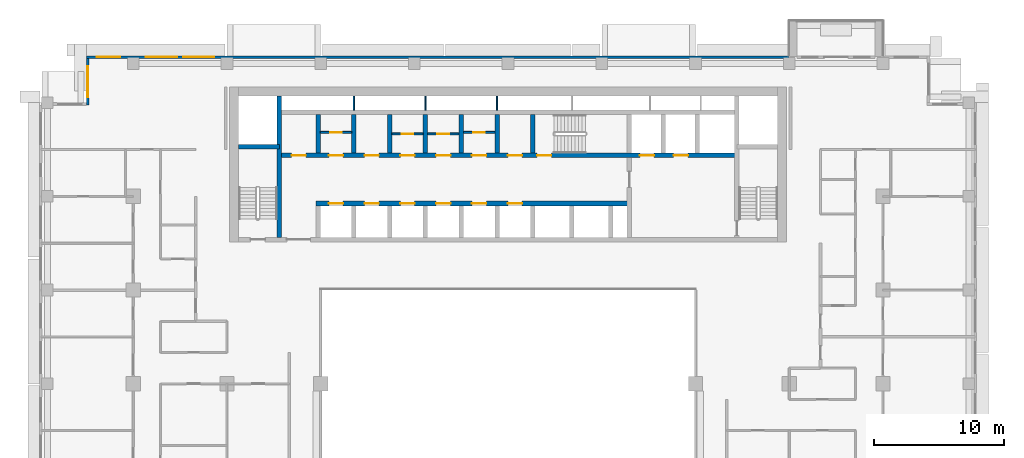
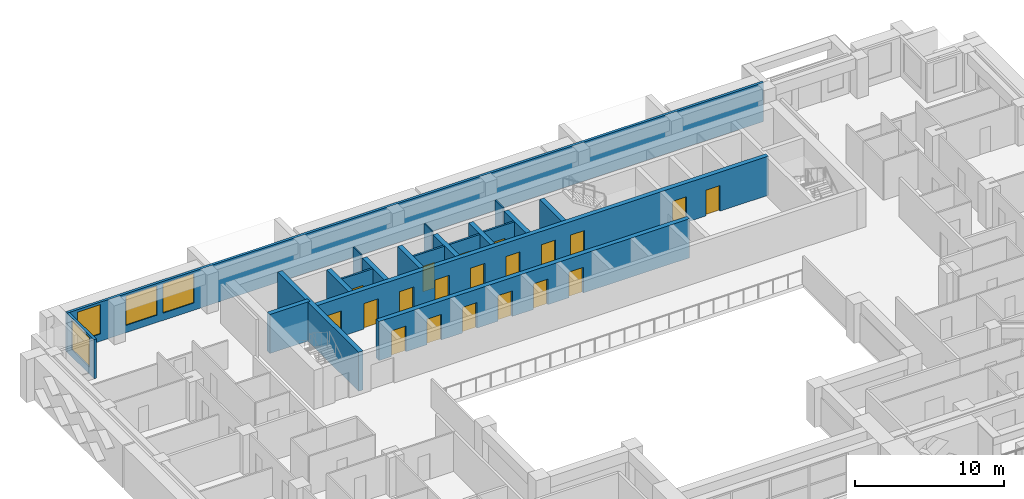
# One storey, part 10 of 19: 20 doors, 20 walls, 4 windows, 24 openings.
"""IFC4 building model written with IfcOpenShell, lengths in metres."""

from ifc_helpers import new_model, si_unit, direction, frame, frame_2d, origin, place, context, subcontext, project, spatial, rectangle, extrude, material, layer, layer_set, type_object, element, fill, save


model = new_model("IFC4")

# Units and contexts
model_context = context("Model", 3, precision=1e-05, world=origin(), true_north=direction((0.0, 1.0)))
body_context = subcontext(model_context, "Body", "Model", "MODEL_VIEW")
ifc_project = project(units=[si_unit("LENGTHUNIT", "METRE"), si_unit("AREAUNIT", "SQUARE_METRE"), si_unit("VOLUMEUNIT", "CUBIC_METRE"), si_unit("PLANEANGLEUNIT", "RADIAN"), si_unit("MASSUNIT", "GRAM", prefix="KILO")], contexts=[model_context])

# Site, building, storey
site_placement = place(None, origin())
site = spatial("IfcSite", under=ifc_project, at=site_placement, CompositionType="ELEMENT")
building_placement = place(site_placement, origin())
building = spatial("IfcBuilding", under=site, at=building_placement, Name="Saffron Iwan Residences", CompositionType="ELEMENT")
storey_placement = place(building_placement, frame((0.0, 0.0, 116.5)))
storey = spatial("IfcBuildingStorey", under=building, at=storey_placement, Name="L30", CompositionType="ELEMENT", Elevation=116.5)

# Wall, opening, door
ifc_material_1 = material(Name="Fire-rated plasterboard partition")
ifc_layer_1 = layer(ifc_material_1, 0.14990234375)
ifc_layer_set_1 = layer_set([ifc_layer_1], Name="Fire-rated plasterboard partition")
wall_type_1 = type_object("IfcWallType", Name="Core partition 150", PredefinedType="PARTITIONING", material=ifc_layer_set_1)
wall_1_placement = place(storey_placement, frame((35.97509765625, 74.51806640625, 0.0), z_axis=(0.0, 0.0, 1.0), x_axis=(1.0, 0.0, 0.0)))
wall_1 = element("IfcWall", 1, at=wall_1_placement, inside=storey, type_object=wall_type_1, Name="Core partition P01", PredefinedType="PARTITIONING", context=body_context, shape_type="SweptSolid", body=[
    extrude(rectangle(XDim=2.39990234375, YDim=0.14990234375, at=frame_2d((1.199951171875, 0.0))), origin(), (0.0, 0.0, 1.0), 3.199951171875),
])
opening_1_placement = place(wall_1_placement, frame((0.75, 0.0, 0.0)))
opening_1 = element("IfcOpeningElement", 2, at=opening_1_placement, cuts=wall_1, Name="Opening SB", PredefinedType="OPENING", context=body_context, shape_type="SweptSolid", body=[
    extrude(rectangle(XDim=0.89990234375, YDim=2.10009765625, at=frame_2d((0.449951171875, 1.050048828125))), frame((0.0, 0.0849609375, 0.0), z_axis=(0.0, -1.0, 0.0), x_axis=(1.0, 0.0, 0.0)), (0.0, 0.0, 1.0), 0.169921875),
])
ifc_material_2 = material(Name="Steel fire door", Category="steel")
door_type_1 = type_object("IfcDoorType", Name="Store door 900", OperationType="NOTDEFINED", PredefinedType="DOOR", material=ifc_material_2)
door_1_placement = place(opening_1_placement, origin())
door_1 = element("IfcDoor", 3, at=door_1_placement, inside=storey, type_object=door_type_1, Name="Door Records store", OperationType="SINGLE_SWING_RIGHT", OverallHeight=2.10009765625, OverallWidth=0.89990234375, PredefinedType="DOOR", context=body_context, shape_type="SweptSolid", body=[
    extrude(rectangle(XDim=0.89990234375, YDim=2.10009765625, at=frame_2d((0.449951171875, 1.050048828125))), frame((0.0, 0.02490234375, 0.0), z_axis=(0.0, -1.0, 0.0), x_axis=(1.0, 0.0, 0.0)), (0.0, 0.0, 1.0), 0.050048828125),
])
fill(opening_1, door_1)

wall_2_placement = place(storey_placement, frame((41.47509765625, 74.39990234375, 0.0), z_axis=(0.0, 0.0, 1.0), x_axis=(1.0, 0.0, 0.0)))
wall_2 = element("IfcWall", 4, at=wall_2_placement, inside=storey, type_object=wall_type_1, Name="Core partition P02", PredefinedType="PARTITIONING", context=body_context, shape_type="SweptSolid", body=[
    extrude(rectangle(XDim=2.39990234375, YDim=0.14990234375, at=frame_2d((1.199951171875, 0.0))), origin(), (0.0, 0.0, 1.0), 3.199951171875),
])
opening_2_placement = place(wall_2_placement, frame((0.75, 0.0, 0.0)))
opening_2 = element("IfcOpeningElement", 5, at=opening_2_placement, cuts=wall_2, Name="Opening SB", PredefinedType="OPENING", context=body_context, shape_type="SweptSolid", body=[
    extrude(rectangle(XDim=0.89990234375, YDim=2.10009765625, at=frame_2d((0.449951171875, 1.050048828125))), frame((0.0, 0.0849609375, 0.0), z_axis=(0.0, -1.0, 0.0), x_axis=(1.0, 0.0, 0.0)), (0.0, 0.0, 1.0), 0.169921875),
])
door_2_placement = place(opening_2_placement, origin())
door_2 = element("IfcDoor", 6, at=door_2_placement, inside=storey, type_object=door_type_1, Name="Door Tool store", OperationType="SINGLE_SWING_LEFT", OverallHeight=2.10009765625, OverallWidth=0.89990234375, PredefinedType="DOOR", context=body_context, shape_type="SweptSolid", body=[
    extrude(rectangle(XDim=0.89990234375, YDim=2.10009765625, at=frame_2d((0.449951171875, 1.050048828125))), frame((0.0, 0.02490234375, 0.0), z_axis=(0.0, -1.0, 0.0), x_axis=(1.0, 0.0, 0.0)), (0.0, 0.0, 1.0), 0.050048828125),
])
fill(opening_2, door_2)

wall_3_placement = place(storey_placement, frame((44.22509765625, 74.39990234375, 0.0), z_axis=(0.0, 0.0, 1.0), x_axis=(1.0, 0.0, 0.0)))
wall_3 = element("IfcWall", 7, at=wall_3_placement, inside=storey, type_object=wall_type_1, Name="Core partition P03", PredefinedType="PARTITIONING", context=body_context, shape_type="SweptSolid", body=[
    extrude(rectangle(XDim=2.39990234375, YDim=0.14990234375, at=frame_2d((1.199951171875, 0.0))), origin(), (0.0, 0.0, 1.0), 3.199951171875),
])
opening_3_placement = place(wall_3_placement, frame((0.75, 0.0, 0.0)))
opening_3 = element("IfcOpeningElement", 8, at=opening_3_placement, cuts=wall_3, Name="Opening SB", PredefinedType="OPENING", context=body_context, shape_type="SweptSolid", body=[
    extrude(rectangle(XDim=0.89990234375, YDim=2.10009765625, at=frame_2d((0.449951171875, 1.050048828125))), frame((0.0, 0.0849609375, 0.0), z_axis=(0.0, -1.0, 0.0), x_axis=(1.0, 0.0, 0.0)), (0.0, 0.0, 1.0), 0.169921875),
])
door_3_placement = place(opening_3_placement, origin())
door_3 = element("IfcDoor", 9, at=door_3_placement, inside=storey, type_object=door_type_1, Name="Door Cabling room", OperationType="SINGLE_SWING_RIGHT", OverallHeight=2.10009765625, OverallWidth=0.89990234375, PredefinedType="DOOR", context=body_context, shape_type="SweptSolid", body=[
    extrude(rectangle(XDim=0.89990234375, YDim=2.10009765625, at=frame_2d((0.449951171875, 1.050048828125))), frame((0.0, 0.02490234375, 0.0), z_axis=(0.0, -1.0, 0.0), x_axis=(1.0, 0.0, 0.0)), (0.0, 0.0, 1.0), 0.050048828125),
])
fill(opening_3, door_3)

wall_4_placement = place(storey_placement, frame((46.97509765625, 74.51806640625, 0.0), z_axis=(0.0, 0.0, 1.0), x_axis=(1.0, 0.0, 0.0)))
wall_4 = element("IfcWall", 10, at=wall_4_placement, inside=storey, type_object=wall_type_1, Name="Core partition P04", PredefinedType="PARTITIONING", context=body_context, shape_type="SweptSolid", body=[
    extrude(rectangle(XDim=2.39990234375, YDim=0.14990234375, at=frame_2d((1.199951171875, 0.0))), origin(), (0.0, 0.0, 1.0), 3.199951171875),
])
opening_4_placement = place(wall_4_placement, frame((0.75, 0.0, 0.0)))
opening_4 = element("IfcOpeningElement", 11, at=opening_4_placement, cuts=wall_4, Name="Opening SB", PredefinedType="OPENING", context=body_context, shape_type="SweptSolid", body=[
    extrude(rectangle(XDim=0.89990234375, YDim=2.10009765625, at=frame_2d((0.449951171875, 1.050048828125))), frame((0.0, 0.0849609375, 0.0), z_axis=(0.0, -1.0, 0.0), x_axis=(1.0, 0.0, 0.0)), (0.0, 0.0, 1.0), 0.169921875),
])
door_4_placement = place(opening_4_placement, origin())
door_4 = element("IfcDoor", 12, at=door_4_placement, inside=storey, type_object=door_type_1, Name="Door Equipment store", OperationType="SINGLE_SWING_RIGHT", OverallHeight=2.10009765625, OverallWidth=0.89990234375, PredefinedType="DOOR", context=body_context, shape_type="SweptSolid", body=[
    extrude(rectangle(XDim=0.89990234375, YDim=2.10009765625, at=frame_2d((0.449951171875, 1.050048828125))), frame((0.0, 0.02490234375, 0.0), z_axis=(0.0, -1.0, 0.0), x_axis=(1.0, 0.0, 0.0)), (0.0, 0.0, 1.0), 0.050048828125),
])
fill(opening_4, door_4)

# Wall, openings, windows
ifc_material_3 = material(Name="Concrete C40/50", Category="concrete")
ifc_layer_2 = layer(ifc_material_3, 0.199951171875)
ifc_layer_set_2 = layer_set([ifc_layer_2], Name="Concrete C40/50")
wall_type_2 = type_object("IfcWallType", Name="EXTERNAL WALL 200", PredefinedType="SOLIDWALL", material=ifc_layer_set_2)
wall_5_placement = place(storey_placement, frame((72.0, 80.300048828125, 0.0), z_axis=(0.0, 0.0, 1.0), x_axis=(-1.0, 0.0, 0.0)))
wall_5 = element("IfcWall", 13, at=wall_5_placement, inside=storey, type_object=wall_type_2, Name="External wall L30 F5.2", PredefinedType="SOLIDWALL", context=body_context, shape_type="SweptSolid", body=[
    extrude(rectangle(XDim=54.0, YDim=0.199951171875, at=frame_2d((27.0, 0.0))), origin(), (0.0, 0.0, 1.0), 3.199951171875),
])
opening_5_placement = place(wall_5_placement, frame((44.166748046875, 0.0, 0.60009765625)))
opening_5 = element("IfcOpeningElement", 14, at=opening_5_placement, cuts=wall_5, Name="Opening W1", PredefinedType="OPENING", context=body_context, shape_type="SweptSolid", body=[
    extrude(rectangle(XDim=2.39990234375, YDim=2.39990234375, at=frame_2d((1.199951171875, 1.199951171875))), frame((0.0, 0.10986328125, 0.0), z_axis=(0.0, -1.0, 0.0), x_axis=(1.0, 0.0, 0.0)), (0.0, 0.0, 1.0), 0.219970703125),
])
opening_6_placement = place(wall_5_placement, frame((47.033203125, 0.0, 0.60009765625)))
opening_6 = element("IfcOpeningElement", 15, at=opening_6_placement, cuts=wall_5, Name="Opening W1", PredefinedType="OPENING", context=body_context, shape_type="SweptSolid", body=[
    extrude(rectangle(XDim=2.39990234375, YDim=2.39990234375, at=frame_2d((1.199951171875, 1.199951171875))), frame((0.0, 0.10986328125, 0.0), z_axis=(0.0, -1.0, 0.0), x_axis=(1.0, 0.0, 0.0)), (0.0, 0.0, 1.0), 0.219970703125),
])
opening_7_placement = place(wall_5_placement, frame((51.39990234375, 0.0, 0.60009765625)))
opening_7 = element("IfcOpeningElement", 16, at=opening_7_placement, cuts=wall_5, Name="Opening W8", PredefinedType="OPENING", context=body_context, shape_type="SweptSolid", body=[
    extrude(rectangle(XDim=1.800048828125, YDim=2.39990234375, at=frame_2d((0.89990234375, 1.199951171875))), frame((0.0, 0.10986328125, 0.0), z_axis=(0.0, -1.0, 0.0), x_axis=(1.0, 0.0, 0.0)), (0.0, 0.0, 1.0), 0.219970703125),
])
ifc_material_4 = material(Name="Clear glass, laminated double glazed", Category="glass")
window_type_1 = type_object("IfcWindowType", Name="WINDOW 1800 x 2400", PartitioningType="DOUBLE_PANEL_VERTICAL", PredefinedType="WINDOW", material=ifc_material_4)
window_1_placement = place(opening_7_placement, origin())
window_1 = element("IfcWindow", 17, at=window_1_placement, inside=storey, type_object=window_type_1, Name="Window L30 F5.2", OverallHeight=2.39990234375, OverallWidth=1.800048828125, PartitioningType="DOUBLE_PANEL_VERTICAL", PredefinedType="WINDOW", context=body_context, shape_type="SweptSolid", body=[
    extrude(rectangle(XDim=1.800048828125, YDim=2.39990234375, at=frame_2d((0.89990234375, 1.199951171875))), frame((0.0, 0.030029296875, 0.0), z_axis=(0.0, -1.0, 0.0), x_axis=(1.0, 0.0, 0.0)), (0.0, 0.0, 1.0), 0.06005859375),
])
fill(opening_7, window_1)
window_type_2 = type_object("IfcWindowType", Name="WINDOW 2400 x 2400", PartitioningType="DOUBLE_PANEL_VERTICAL", PredefinedType="WINDOW", material=ifc_material_4)
window_2_placement = place(opening_5_placement, origin())
window_2 = element("IfcWindow", 18, at=window_2_placement, inside=storey, type_object=window_type_2, Name="Window L30 F5.0", OverallHeight=2.39990234375, OverallWidth=2.39990234375, PartitioningType="DOUBLE_PANEL_VERTICAL", PredefinedType="WINDOW", context=body_context, shape_type="SweptSolid", body=[
    extrude(rectangle(XDim=2.39990234375, YDim=2.39990234375, at=frame_2d((1.199951171875, 1.199951171875))), frame((0.0, 0.030029296875, 0.0), z_axis=(0.0, -1.0, 0.0), x_axis=(1.0, 0.0, 0.0)), (0.0, 0.0, 1.0), 0.06005859375),
])
fill(opening_5, window_2)
window_3_placement = place(opening_6_placement, origin())
window_3 = element("IfcWindow", 19, at=window_3_placement, inside=storey, type_object=window_type_2, Name="Window L30 F5.1", OverallHeight=2.39990234375, OverallWidth=2.39990234375, PartitioningType="DOUBLE_PANEL_VERTICAL", PredefinedType="WINDOW", context=body_context, shape_type="SweptSolid", body=[
    extrude(rectangle(XDim=2.39990234375, YDim=2.39990234375, at=frame_2d((1.199951171875, 1.199951171875))), frame((0.0, 0.030029296875, 0.0), z_axis=(0.0, -1.0, 0.0), x_axis=(1.0, 0.0, 0.0)), (0.0, 0.0, 1.0), 0.06005859375),
])
fill(opening_6, window_3)

# Wall, opening, window
wall_6_placement = place(storey_placement, frame((18.10009765625, 80.199951171875, 0.0), z_axis=(0.0, 0.0, 1.0), x_axis=(0.0, -1.0, 0.0)))
wall_6 = element("IfcWall", 20, at=wall_6_placement, inside=storey, type_object=wall_type_2, Name="External wall L30 F6.0", PredefinedType="SOLIDWALL", context=body_context, shape_type="SweptSolid", body=[
    extrude(rectangle(XDim=3.599853515625, YDim=0.199951171875, at=frame_2d((1.7998046875, 0.0))), origin(), (0.0, 0.0, 1.0), 3.199951171875),
])
opening_8_placement = place(wall_6_placement, frame((0.60009765625, 0.0, 0.60009765625)))
opening_8 = element("IfcOpeningElement", 21, at=opening_8_placement, cuts=wall_6, Name="Opening W1", PredefinedType="OPENING", context=body_context, shape_type="SweptSolid", body=[
    extrude(rectangle(XDim=2.39990234375, YDim=2.39990234375, at=frame_2d((1.199951171875, 1.199951171875))), frame((0.0, 0.10986328125, 0.0), z_axis=(0.0, -1.0, 0.0), x_axis=(1.0, 0.0, 0.0)), (0.0, 0.0, 1.0), 0.219970703125),
])
window_4_placement = place(opening_8_placement, origin())
window_4 = element("IfcWindow", 22, at=window_4_placement, inside=storey, type_object=window_type_2, Name="Window L30 F6.0", OverallHeight=2.39990234375, OverallWidth=2.39990234375, PartitioningType="DOUBLE_PANEL_VERTICAL", PredefinedType="WINDOW", context=body_context, shape_type="SweptSolid", body=[
    extrude(rectangle(XDim=2.39990234375, YDim=2.39990234375, at=frame_2d((1.199951171875, 1.199951171875))), frame((0.0, 0.030029296875, 0.0), z_axis=(0.0, -1.0, 0.0), x_axis=(1.0, 0.0, 0.0)), (0.0, 0.0, 1.0), 0.06005859375),
])
fill(opening_8, window_4)

# Walls
ifc_layer_3 = layer(ifc_material_1, 0.10009765625)
ifc_layer_set_3 = layer_set([ifc_layer_3], Name="Fire-rated plasterboard partition")
wall_type_3 = type_object("IfcWallType", Name="Riser partition 100", PredefinedType="PARTITIONING", material=ifc_layer_set_3)
for number, where, z_axis, x_axis, name in (
    (23, (38.550048828125, 76.22509765625, 0.0), (0.0, 0.0, 1.0), (0.0, 1.0, 0.0), "Core partition P05"),
    (24, (44.050048828125, 76.22509765625, 0.0), (0.0, 0.0, 1.0), (0.0, 1.0, 0.0), "Core partition P06"),
    (25, (49.550048828125, 76.22509765625, 0.0), (0.0, 0.0, 1.0), (0.0, 1.0, 0.0), "Core partition P07"),
):
    element("IfcWall", number, at=place(storey_placement, frame(where, z_axis=z_axis, x_axis=x_axis)), inside=storey, type_object=wall_type_3, Name=name, PredefinedType="PARTITIONING", context=body_context, shape_type="SweptSolid", body=[
        extrude(rectangle(XDim=1.074951171875, YDim=0.10009765625, at=frame_2d((0.53759765625, 0.0))), origin(), (0.0, 0.0, 1.0), 3.199951171875),
    ])

# Wall, openings, doors
ifc_material_5 = material(Name="Concrete C50/60", Category="concrete")
ifc_layer_4 = layer(ifc_material_5, 0.35009765625)
ifc_layer_set_4 = layer_set([ifc_layer_4], Name="Concrete C50/60")
wall_type_4 = type_object("IfcWallType", Name="WALL CORE 350 C50/60 3200 HIGH", PredefinedType="SHEAR", material=ifc_layer_set_4)
wall_7_placement = place(storey_placement, frame((35.625, 69.050048828125, 0.0), z_axis=(0.0, 0.0, 1.0), x_axis=(1.0, 0.0, 0.0)))
wall_7 = element("IfcWall", 26, at=wall_7_placement, inside=storey, type_object=wall_type_4, Name="Core wall", PredefinedType="SHEAR", context=body_context, shape_type="SweptSolid", body=[
    extrude(rectangle(XDim=24.10009765625, YDim=0.35009765625, at=frame_2d((12.050048828125, 0.0))), origin(), (0.0, 0.0, 1.0), 3.199951171875),
])
opening_9_placement = place(wall_7_placement, frame((1.0, 0.0, 0.0)))
opening_9 = element("IfcOpeningElement", 27, at=opening_9_placement, cuts=wall_7, Name="Opening LD", PredefinedType="OPENING", context=body_context, shape_type="SweptSolid", body=[
    extrude(rectangle(XDim=1.10009765625, YDim=2.10009765625, at=frame_2d((0.550048828125, 1.050048828125))), frame((0.0, 0.18505859375, 0.0), z_axis=(0.0, -1.0, 0.0), x_axis=(1.0, 0.0, 0.0)), (0.0, 0.0, 1.0), 0.3701171875),
])
opening_10_placement = place(wall_7_placement, frame((3.75, 0.0, 0.0)))
opening_10 = element("IfcOpeningElement", 28, at=opening_10_placement, cuts=wall_7, Name="Opening LD", PredefinedType="OPENING", context=body_context, shape_type="SweptSolid", body=[
    extrude(rectangle(XDim=1.10009765625, YDim=2.10009765625, at=frame_2d((0.550048828125, 1.050048828125))), frame((0.0, 0.18505859375, 0.0), z_axis=(0.0, -1.0, 0.0), x_axis=(1.0, 0.0, 0.0)), (0.0, 0.0, 1.0), 0.3701171875),
])
opening_11_placement = place(wall_7_placement, frame((6.5, 0.0, 0.0)))
opening_11 = element("IfcOpeningElement", 29, at=opening_11_placement, cuts=wall_7, Name="Opening LD", PredefinedType="OPENING", context=body_context, shape_type="SweptSolid", body=[
    extrude(rectangle(XDim=1.10009765625, YDim=2.10009765625, at=frame_2d((0.550048828125, 1.050048828125))), frame((0.0, 0.18505859375, 0.0), z_axis=(0.0, -1.0, 0.0), x_axis=(1.0, 0.0, 0.0)), (0.0, 0.0, 1.0), 0.3701171875),
])
opening_12_placement = place(wall_7_placement, frame((9.25, 0.0, 0.0)))
opening_12 = element("IfcOpeningElement", 30, at=opening_12_placement, cuts=wall_7, Name="Opening LD", PredefinedType="OPENING", context=body_context, shape_type="SweptSolid", body=[
    extrude(rectangle(XDim=1.10009765625, YDim=2.10009765625, at=frame_2d((0.550048828125, 1.050048828125))), frame((0.0, 0.18505859375, 0.0), z_axis=(0.0, -1.0, 0.0), x_axis=(1.0, 0.0, 0.0)), (0.0, 0.0, 1.0), 0.3701171875),
])
opening_13_placement = place(wall_7_placement, frame((12.0, 0.0, 0.0)))
opening_13 = element("IfcOpeningElement", 31, at=opening_13_placement, cuts=wall_7, Name="Opening LD", PredefinedType="OPENING", context=body_context, shape_type="SweptSolid", body=[
    extrude(rectangle(XDim=1.10009765625, YDim=2.10009765625, at=frame_2d((0.550048828125, 1.050048828125))), frame((0.0, 0.18505859375, 0.0), z_axis=(0.0, -1.0, 0.0), x_axis=(1.0, 0.0, 0.0)), (0.0, 0.0, 1.0), 0.3701171875),
])
opening_14_placement = place(wall_7_placement, frame((14.75, 0.0, 0.0)))
opening_14 = element("IfcOpeningElement", 32, at=opening_14_placement, cuts=wall_7, Name="Opening LD", PredefinedType="OPENING", context=body_context, shape_type="SweptSolid", body=[
    extrude(rectangle(XDim=1.10009765625, YDim=2.10009765625, at=frame_2d((0.550048828125, 1.050048828125))), frame((0.0, 0.18505859375, 0.0), z_axis=(0.0, -1.0, 0.0), x_axis=(1.0, 0.0, 0.0)), (0.0, 0.0, 1.0), 0.3701171875),
])
door_type_2 = type_object("IfcDoorType", Name="Lift landing door 1100", OperationType="SLIDING_TO_LEFT", PredefinedType="DOOR", material=ifc_material_2)
door_5_placement = place(opening_9_placement, origin())
door_5 = element("IfcDoor", 33, at=door_5_placement, inside=storey, type_object=door_type_2, Name="Landing doors LR1", OperationType="SLIDING_TO_LEFT", OverallHeight=2.10009765625, OverallWidth=1.10009765625, PredefinedType="DOOR", context=body_context, shape_type="SweptSolid", body=[
    extrude(rectangle(XDim=1.10009765625, YDim=2.10009765625, at=frame_2d((0.550048828125, 1.050048828125))), frame((0.0, 0.02490234375, 0.0), z_axis=(0.0, -1.0, 0.0), x_axis=(1.0, 0.0, 0.0)), (0.0, 0.0, 1.0), 0.050048828125),
])
fill(opening_9, door_5)
door_6_placement = place(opening_10_placement, origin())
door_6 = element("IfcDoor", 34, at=door_6_placement, inside=storey, type_object=door_type_2, Name="Landing doors LR2", OperationType="SLIDING_TO_LEFT", OverallHeight=2.10009765625, OverallWidth=1.10009765625, PredefinedType="DOOR", context=body_context, shape_type="SweptSolid", body=[
    extrude(rectangle(XDim=1.10009765625, YDim=2.10009765625, at=frame_2d((0.550048828125, 1.050048828125))), frame((0.0, 0.02490234375, 0.0), z_axis=(0.0, -1.0, 0.0), x_axis=(1.0, 0.0, 0.0)), (0.0, 0.0, 1.0), 0.050048828125),
])
fill(opening_10, door_6)
door_7_placement = place(opening_11_placement, origin())
door_7 = element("IfcDoor", 35, at=door_7_placement, inside=storey, type_object=door_type_2, Name="Landing doors LR3", OperationType="SLIDING_TO_LEFT", OverallHeight=2.10009765625, OverallWidth=1.10009765625, PredefinedType="DOOR", context=body_context, shape_type="SweptSolid", body=[
    extrude(rectangle(XDim=1.10009765625, YDim=2.10009765625, at=frame_2d((0.550048828125, 1.050048828125))), frame((0.0, 0.02490234375, 0.0), z_axis=(0.0, -1.0, 0.0), x_axis=(1.0, 0.0, 0.0)), (0.0, 0.0, 1.0), 0.050048828125),
])
fill(opening_11, door_7)
door_8_placement = place(opening_12_placement, origin())
door_8 = element("IfcDoor", 36, at=door_8_placement, inside=storey, type_object=door_type_2, Name="Landing doors LR4", OperationType="SLIDING_TO_LEFT", OverallHeight=2.10009765625, OverallWidth=1.10009765625, PredefinedType="DOOR", context=body_context, shape_type="SweptSolid", body=[
    extrude(rectangle(XDim=1.10009765625, YDim=2.10009765625, at=frame_2d((0.550048828125, 1.050048828125))), frame((0.0, 0.02490234375, 0.0), z_axis=(0.0, -1.0, 0.0), x_axis=(1.0, 0.0, 0.0)), (0.0, 0.0, 1.0), 0.050048828125),
])
fill(opening_12, door_8)
door_9_placement = place(opening_13_placement, origin())
door_9 = element("IfcDoor", 37, at=door_9_placement, inside=storey, type_object=door_type_2, Name="Landing doors LR5", OperationType="SLIDING_TO_LEFT", OverallHeight=2.10009765625, OverallWidth=1.10009765625, PredefinedType="DOOR", context=body_context, shape_type="SweptSolid", body=[
    extrude(rectangle(XDim=1.10009765625, YDim=2.10009765625, at=frame_2d((0.550048828125, 1.050048828125))), frame((0.0, 0.02490234375, 0.0), z_axis=(0.0, -1.0, 0.0), x_axis=(1.0, 0.0, 0.0)), (0.0, 0.0, 1.0), 0.050048828125),
])
fill(opening_13, door_9)
door_10_placement = place(opening_14_placement, origin())
door_10 = element("IfcDoor", 38, at=door_10_placement, inside=storey, type_object=door_type_2, Name="Landing doors LR6", OperationType="SLIDING_TO_LEFT", OverallHeight=2.10009765625, OverallWidth=1.10009765625, PredefinedType="DOOR", context=body_context, shape_type="SweptSolid", body=[
    extrude(rectangle(XDim=1.10009765625, YDim=2.10009765625, at=frame_2d((0.550048828125, 1.050048828125))), frame((0.0, 0.02490234375, 0.0), z_axis=(0.0, -1.0, 0.0), x_axis=(1.0, 0.0, 0.0)), (0.0, 0.0, 1.0), 0.050048828125),
])
fill(opening_14, door_10)

wall_8_placement = place(storey_placement, frame((32.824951171875, 72.75, 0.0), z_axis=(0.0, 0.0, 1.0), x_axis=(1.0, 0.0, 0.0)))
wall_8 = element("IfcWall", 39, at=wall_8_placement, inside=storey, type_object=wall_type_4, Name="Core wall", PredefinedType="SHEAR", context=body_context, shape_type="SweptSolid", body=[
    extrude(rectangle(XDim=35.150146484375, YDim=0.35009765625, at=frame_2d((17.5751953125, 0.0))), origin(), (0.0, 0.0, 1.0), 3.199951171875),
])
opening_15_placement = place(wall_8_placement, frame((19.800048828125, 0.0, 0.0)))
opening_15 = element("IfcOpeningElement", 40, at=opening_15_placement, cuts=wall_8, Name="Opening SD", PredefinedType="OPENING", context=body_context, shape_type="SweptSolid", body=[
    extrude(rectangle(XDim=1.10009765625, YDim=2.10009765625, at=frame_2d((0.550048828125, 1.050048828125))), frame((0.0, 0.18505859375, 0.0), z_axis=(0.0, -1.0, 0.0), x_axis=(1.0, 0.0, 0.0)), (0.0, 0.0, 1.0), 0.3701171875),
])
opening_16_placement = place(wall_8_placement, frame((27.699951171875, 0.0, 0.0)))
opening_16 = element("IfcOpeningElement", 41, at=opening_16_placement, cuts=wall_8, Name="Opening LD", PredefinedType="OPENING", context=body_context, shape_type="SweptSolid", body=[
    extrude(rectangle(XDim=1.10009765625, YDim=2.10009765625, at=frame_2d((0.550048828125, 1.050048828125))), frame((0.0, 0.18505859375, 0.0), z_axis=(0.0, -1.0, 0.0), x_axis=(1.0, 0.0, 0.0)), (0.0, 0.0, 1.0), 0.3701171875),
])
opening_17_placement = place(wall_8_placement, frame((30.300048828125, 0.0, 0.0)))
opening_17 = element("IfcOpeningElement", 42, at=opening_17_placement, cuts=wall_8, Name="Opening LD", PredefinedType="OPENING", context=body_context, shape_type="SweptSolid", body=[
    extrude(rectangle(XDim=1.10009765625, YDim=2.10009765625, at=frame_2d((0.550048828125, 1.050048828125))), frame((0.0, 0.18505859375, 0.0), z_axis=(0.0, -1.0, 0.0), x_axis=(1.0, 0.0, 0.0)), (0.0, 0.0, 1.0), 0.3701171875),
])
opening_18_placement = place(wall_8_placement, frame((3.800048828125, 0.0, 0.0)))
opening_18 = element("IfcOpeningElement", 43, at=opening_18_placement, cuts=wall_8, Name="Opening SR", PredefinedType="OPENING", context=body_context, shape_type="SweptSolid", body=[
    extrude(rectangle(XDim=1.10009765625, YDim=2.10009765625, at=frame_2d((0.550048828125, 1.050048828125))), frame((0.0, 0.18505859375, 0.0), z_axis=(0.0, -1.0, 0.0), x_axis=(1.0, 0.0, 0.0)), (0.0, 0.0, 1.0), 0.3701171875),
])
opening_19_placement = place(wall_8_placement, frame((6.550048828125, 0.0, 0.0)))
opening_19 = element("IfcOpeningElement", 44, at=opening_19_placement, cuts=wall_8, Name="Opening SR", PredefinedType="OPENING", context=body_context, shape_type="SweptSolid", body=[
    extrude(rectangle(XDim=1.10009765625, YDim=2.10009765625, at=frame_2d((0.550048828125, 1.050048828125))), frame((0.0, 0.18505859375, 0.0), z_axis=(0.0, -1.0, 0.0), x_axis=(1.0, 0.0, 0.0)), (0.0, 0.0, 1.0), 0.3701171875),
])
opening_20_placement = place(wall_8_placement, frame((9.300048828125, 0.0, 0.0)))
opening_20 = element("IfcOpeningElement", 45, at=opening_20_placement, cuts=wall_8, Name="Opening SR", PredefinedType="OPENING", context=body_context, shape_type="SweptSolid", body=[
    extrude(rectangle(XDim=1.10009765625, YDim=2.10009765625, at=frame_2d((0.550048828125, 1.050048828125))), frame((0.0, 0.18505859375, 0.0), z_axis=(0.0, -1.0, 0.0), x_axis=(1.0, 0.0, 0.0)), (0.0, 0.0, 1.0), 0.3701171875),
])
opening_21_placement = place(wall_8_placement, frame((12.050048828125, 0.0, 0.0)))
opening_21 = element("IfcOpeningElement", 46, at=opening_21_placement, cuts=wall_8, Name="Opening SR", PredefinedType="OPENING", context=body_context, shape_type="SweptSolid", body=[
    extrude(rectangle(XDim=1.10009765625, YDim=2.10009765625, at=frame_2d((0.550048828125, 1.050048828125))), frame((0.0, 0.18505859375, 0.0), z_axis=(0.0, -1.0, 0.0), x_axis=(1.0, 0.0, 0.0)), (0.0, 0.0, 1.0), 0.3701171875),
])
opening_22_placement = place(wall_8_placement, frame((14.800048828125, 0.0, 0.0)))
opening_22 = element("IfcOpeningElement", 47, at=opening_22_placement, cuts=wall_8, Name="Opening SR", PredefinedType="OPENING", context=body_context, shape_type="SweptSolid", body=[
    extrude(rectangle(XDim=1.10009765625, YDim=2.10009765625, at=frame_2d((0.550048828125, 1.050048828125))), frame((0.0, 0.18505859375, 0.0), z_axis=(0.0, -1.0, 0.0), x_axis=(1.0, 0.0, 0.0)), (0.0, 0.0, 1.0), 0.3701171875),
])
opening_23_placement = place(wall_8_placement, frame((17.550048828125, 0.0, 0.0)))
opening_23 = element("IfcOpeningElement", 48, at=opening_23_placement, cuts=wall_8, Name="Opening SR", PredefinedType="OPENING", context=body_context, shape_type="SweptSolid", body=[
    extrude(rectangle(XDim=1.10009765625, YDim=2.10009765625, at=frame_2d((0.550048828125, 1.050048828125))), frame((0.0, 0.18505859375, 0.0), z_axis=(0.0, -1.0, 0.0), x_axis=(1.0, 0.0, 0.0)), (0.0, 0.0, 1.0), 0.3701171875),
])
opening_24_placement = place(wall_8_placement, frame((0.9375, 0.0, 0.0)))
opening_24 = element("IfcOpeningElement", 49, at=opening_24_placement, cuts=wall_8, Name="Opening SR", PredefinedType="OPENING", context=body_context, shape_type="SweptSolid", body=[
    extrude(rectangle(XDim=1.10009765625, YDim=2.10009765625, at=frame_2d((0.550048828125, 1.050048828125))), frame((0.0, 0.18505859375, 0.0), z_axis=(0.0, -1.0, 0.0), x_axis=(1.0, 0.0, 0.0)), (0.0, 0.0, 1.0), 0.3701171875),
])
door_11_placement = place(opening_16_placement, origin())
door_11 = element("IfcDoor", 50, at=door_11_placement, inside=storey, type_object=door_type_2, Name="Landing doors FF1", OperationType="SLIDING_TO_LEFT", OverallHeight=2.10009765625, OverallWidth=1.10009765625, PredefinedType="DOOR", context=body_context, shape_type="SweptSolid", body=[
    extrude(rectangle(XDim=1.10009765625, YDim=2.10009765625, at=frame_2d((0.550048828125, 1.050048828125))), frame((0.0, 0.02490234375, 0.0), z_axis=(0.0, -1.0, 0.0), x_axis=(1.0, 0.0, 0.0)), (0.0, 0.0, 1.0), 0.050048828125),
])
fill(opening_16, door_11)
door_12_placement = place(opening_17_placement, origin())
door_12 = element("IfcDoor", 51, at=door_12_placement, inside=storey, type_object=door_type_2, Name="Landing doors FF2", OperationType="SLIDING_TO_LEFT", OverallHeight=2.10009765625, OverallWidth=1.10009765625, PredefinedType="DOOR", context=body_context, shape_type="SweptSolid", body=[
    extrude(rectangle(XDim=1.10009765625, YDim=2.10009765625, at=frame_2d((0.550048828125, 1.050048828125))), frame((0.0, 0.02490234375, 0.0), z_axis=(0.0, -1.0, 0.0), x_axis=(1.0, 0.0, 0.0)), (0.0, 0.0, 1.0), 0.050048828125),
])
fill(opening_17, door_12)
door_type_3 = type_object("IfcDoorType", Name="Service door 1100", OperationType="NOTDEFINED", PredefinedType="DOOR", material=ifc_material_2)
door_13_placement = place(opening_18_placement, origin())
door_13 = element("IfcDoor", 52, at=door_13_placement, inside=storey, type_object=door_type_3, Name="Door Electrical room", OperationType="SINGLE_SWING_LEFT", OverallHeight=2.10009765625, OverallWidth=1.10009765625, PredefinedType="DOOR", context=body_context, shape_type="SweptSolid", body=[
    extrude(rectangle(XDim=1.10009765625, YDim=2.10009765625, at=frame_2d((0.550048828125, 1.050048828125))), frame((0.0, 0.02490234375, 0.0), z_axis=(0.0, -1.0, 0.0), x_axis=(1.0, 0.0, 0.0)), (0.0, 0.0, 1.0), 0.050048828125),
])
fill(opening_18, door_13)
door_14_placement = place(opening_19_placement, origin())
door_14 = element("IfcDoor", 53, at=door_14_placement, inside=storey, type_object=door_type_3, Name="Door Luggage store", OperationType="SINGLE_SWING_RIGHT", OverallHeight=2.10009765625, OverallWidth=1.10009765625, PredefinedType="DOOR", context=body_context, shape_type="SweptSolid", body=[
    extrude(rectangle(XDim=1.10009765625, YDim=2.10009765625, at=frame_2d((0.550048828125, 1.050048828125))), frame((0.0, 0.02490234375, 0.0), z_axis=(0.0, -1.0, 0.0), x_axis=(1.0, 0.0, 0.0)), (0.0, 0.0, 1.0), 0.050048828125),
])
fill(opening_19, door_14)
door_15_placement = place(opening_20_placement, origin())
door_15 = element("IfcDoor", 54, at=door_15_placement, inside=storey, type_object=door_type_3, Name="Door Refuse store", OperationType="SINGLE_SWING_LEFT", OverallHeight=2.10009765625, OverallWidth=1.10009765625, PredefinedType="DOOR", context=body_context, shape_type="SweptSolid", body=[
    extrude(rectangle(XDim=1.10009765625, YDim=2.10009765625, at=frame_2d((0.550048828125, 1.050048828125))), frame((0.0, 0.02490234375, 0.0), z_axis=(0.0, -1.0, 0.0), x_axis=(1.0, 0.0, 0.0)), (0.0, 0.0, 1.0), 0.050048828125),
])
fill(opening_20, door_15)
door_16_placement = place(opening_21_placement, origin())
door_16 = element("IfcDoor", 55, at=door_16_placement, inside=storey, type_object=door_type_3, Name="Door Maintenance store", OperationType="SINGLE_SWING_RIGHT", OverallHeight=2.10009765625, OverallWidth=1.10009765625, PredefinedType="DOOR", context=body_context, shape_type="SweptSolid", body=[
    extrude(rectangle(XDim=1.10009765625, YDim=2.10009765625, at=frame_2d((0.550048828125, 1.050048828125))), frame((0.0, 0.02490234375, 0.0), z_axis=(0.0, -1.0, 0.0), x_axis=(1.0, 0.0, 0.0)), (0.0, 0.0, 1.0), 0.050048828125),
])
fill(opening_21, door_16)
door_17_placement = place(opening_22_placement, origin())
door_17 = element("IfcDoor", 56, at=door_17_placement, inside=storey, type_object=door_type_3, Name="Door Linen store", OperationType="SINGLE_SWING_LEFT", OverallHeight=2.10009765625, OverallWidth=1.10009765625, PredefinedType="DOOR", context=body_context, shape_type="SweptSolid", body=[
    extrude(rectangle(XDim=1.10009765625, YDim=2.10009765625, at=frame_2d((0.550048828125, 1.050048828125))), frame((0.0, 0.02490234375, 0.0), z_axis=(0.0, -1.0, 0.0), x_axis=(1.0, 0.0, 0.0)), (0.0, 0.0, 1.0), 0.050048828125),
])
fill(opening_22, door_17)
door_18_placement = place(opening_23_placement, origin())
door_18 = element("IfcDoor", 57, at=door_18_placement, inside=storey, type_object=door_type_3, Name="Door Pantry", OperationType="SINGLE_SWING_RIGHT", OverallHeight=2.10009765625, OverallWidth=1.10009765625, PredefinedType="DOOR", context=body_context, shape_type="SweptSolid", body=[
    extrude(rectangle(XDim=1.10009765625, YDim=2.10009765625, at=frame_2d((0.550048828125, 1.050048828125))), frame((0.0, 0.02490234375, 0.0), z_axis=(0.0, -1.0, 0.0), x_axis=(1.0, 0.0, 0.0)), (0.0, 0.0, 1.0), 0.050048828125),
])
fill(opening_23, door_18)
door_19_placement = place(opening_24_placement, origin())
door_19 = element("IfcDoor", 58, at=door_19_placement, inside=storey, type_object=door_type_3, Name="Door Cleaner's store", OperationType="SINGLE_SWING_LEFT", OverallHeight=2.10009765625, OverallWidth=1.10009765625, PredefinedType="DOOR", context=body_context, shape_type="SweptSolid", body=[
    extrude(rectangle(XDim=1.10009765625, YDim=2.10009765625, at=frame_2d((0.550048828125, 1.050048828125))), frame((0.0, 0.02490234375, 0.0), z_axis=(0.0, -1.0, 0.0), x_axis=(1.0, 0.0, 0.0)), (0.0, 0.0, 1.0), 0.050048828125),
])
fill(opening_24, door_19)
door_type_4 = type_object("IfcDoorType", Name="Stair door 1100", OperationType="NOTDEFINED", PredefinedType="DOOR", material=ifc_material_2)
door_20_placement = place(opening_15_placement, origin())
door_20 = element("IfcDoor", 59, at=door_20_placement, inside=storey, type_object=door_type_4, Name="Stair door ST-C", OperationType="SINGLE_SWING_LEFT", OverallHeight=2.10009765625, OverallWidth=1.10009765625, PredefinedType="DOOR", context=body_context, shape_type="SweptSolid", body=[
    extrude(rectangle(XDim=1.10009765625, YDim=2.10009765625, at=frame_2d((0.550048828125, 1.050048828125))), frame((0.0, 0.02490234375, 0.0), z_axis=(0.0, -1.0, 0.0), x_axis=(1.0, 0.0, 0.0)), (0.0, 0.0, 1.0), 0.050048828125),
])
fill(opening_15, door_20)

# Walls
wall_9_placement = place(storey_placement, frame((29.699951171875, 73.425048828125, 0.0), z_axis=(0.0, 0.0, 1.0), x_axis=(1.0, 0.0, 0.0)))
element("IfcWall", 60, at=wall_9_placement, inside=storey, type_object=wall_type_4, Name="Core wall", PredefinedType="SHEAR", context=body_context, shape_type="SweptSolid", body=[
    extrude(rectangle(XDim=3.125, YDim=0.35009765625, at=frame_2d((1.5625, 0.0))), origin(), (0.0, 0.0, 1.0), 3.199951171875),
])
wall_10_placement = place(storey_placement, frame((32.824951171875, 66.449951171875, 0.0), z_axis=(0.0, 0.0, 1.0), x_axis=(0.0, 1.0, 0.0)))
element("IfcWall", 61, at=wall_10_placement, inside=storey, type_object=wall_type_4, Name="Core wall", PredefinedType="SHEAR", context=body_context, shape_type="SweptSolid", body=[
    extrude(rectangle(XDim=10.85009765625, YDim=0.35009765625, at=frame_2d((5.425048828125, 0.0))), origin(), (0.0, 0.0, 1.0), 3.199951171875),
])
for number, where, z_axis, x_axis, name in (
    (62, (35.800048828125, 72.925048828125, 0.0), (0.0, 0.0, 1.0), (0.0, 1.0, 0.0), "Core wall"),
    (63, (38.550048828125, 72.925048828125, 0.0), (0.0, 0.0, 1.0), (0.0, 1.0, 0.0), "Core wall"),
    (64, (41.300048828125, 72.925048828125, 0.0), (0.0, 0.0, 1.0), (0.0, 1.0, 0.0), "Core wall"),
    (65, (44.050048828125, 72.925048828125, 0.0), (0.0, 0.0, 1.0), (0.0, 1.0, 0.0), "Core wall"),
    (66, (46.800048828125, 72.925048828125, 0.0), (0.0, 0.0, 1.0), (0.0, 1.0, 0.0), "Core wall"),
    (67, (49.550048828125, 72.925048828125, 0.0), (0.0, 0.0, 1.0), (0.0, 1.0, 0.0), "Core wall"),
    (68, (52.300048828125, 72.925048828125, 0.0), (0.0, 0.0, 1.0), (0.0, 1.0, 0.0), "Core wall"),
):
    element("IfcWall", number, at=place(storey_placement, frame(where, z_axis=z_axis, x_axis=x_axis)), inside=storey, type_object=wall_type_4, Name=name, PredefinedType="SHEAR", context=body_context, shape_type="SweptSolid", body=[
        extrude(rectangle(XDim=2.949951171875, YDim=0.35009765625, at=frame_2d((1.47509765625, 0.0))), origin(), (0.0, 0.0, 1.0), 3.199951171875),
    ])

save(model, "model.ifc")
